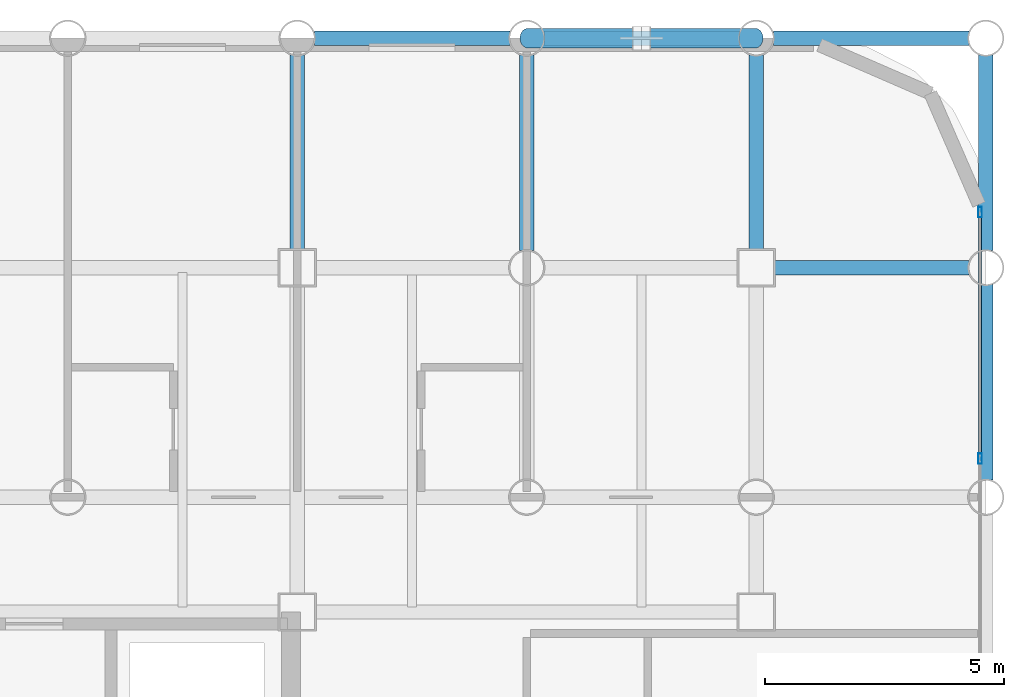
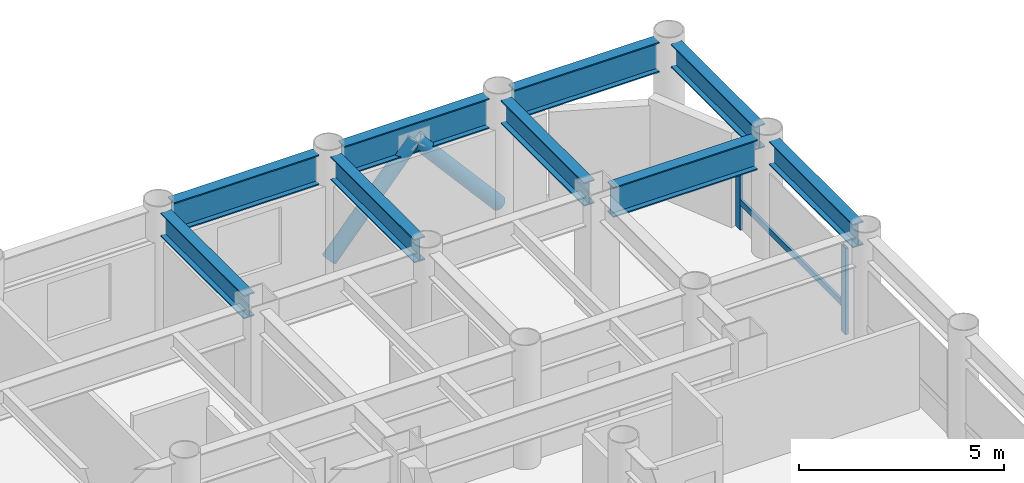
# One storey, part 14 of 22: 9 beams, 5 members, 1 element without a shape of its own.
"""IFC4 building model written with IfcOpenShell, lengths in metres."""

from ifc_helpers import new_model, si_unit, direction, frame, origin, origin_2d, place, context, subcontext, project, spatial, hollow_rectangle, hollow_circle, i_section, extrude, material, layer, layer_set, material_profile, profile_set, type_object, element, aggregate, save


model = new_model("IFC4")

# Units and contexts
model_context = context("Model", 3, precision=1e-05, world=origin(), true_north=direction((0.0, 1.0)))
body_context = subcontext(model_context, "Body", "Model", "MODEL_VIEW")
ifc_project = project(units=[si_unit("LENGTHUNIT", "METRE"), si_unit("AREAUNIT", "SQUARE_METRE"), si_unit("VOLUMEUNIT", "CUBIC_METRE"), si_unit("PLANEANGLEUNIT", "RADIAN"), si_unit("MASSUNIT", "GRAM", prefix="KILO")], contexts=[model_context])

# Site, building, storey
site_placement = place(None, origin())
site = spatial("IfcSite", under=ifc_project, at=site_placement, CompositionType="ELEMENT")
building_placement = place(site_placement, origin())
building = spatial("IfcBuilding", under=site, at=building_placement, Name="Kallvorn Hotel Tower", CompositionType="ELEMENT")
storey_placement = place(building_placement, frame((0.0, 0.0, 48.5)))
storey = spatial("IfcBuildingStorey", under=building, at=storey_placement, Name="L10", CompositionType="ELEMENT", Elevation=48.5)

# Beams
ifc_material_1 = material(Name="Structural steel S355JR", Category="steel")
ifc_material_profile_1 = material_profile(ifc_material_1, i_section(OverallWidth=0.300048828125, OverallDepth=0.699951171875, WebThickness=0.01708984375, FlangeThickness=0.031982421875, at=origin_2d()), Name="HE 700 B")
ifc_profile_set_1 = profile_set([ifc_material_profile_1], Name="Structural steel S355JR")
beam_type_1 = type_object("IfcBeamType", Name="BM_HE700B", PredefinedType="BEAM", material=ifc_profile_set_1)
beam_1_placement = place(storey_placement, frame((14.39990234375, 14.77490234375, 3.169921875), z_axis=(0.0, 1.0, 0.0), x_axis=(-1.0, 0.0, 0.0)))
element("IfcBeam", 1, at=beam_1_placement, inside=storey, type_object=beam_type_1, Name="L11 Primary Y-Girder 126", PredefinedType="BEAM", context=body_context, shape_type="SweptSolid", body=[
    extrude(i_section(OverallWidth=0.300048828125, OverallDepth=0.699951171875, WebThickness=0.01708984375, FlangeThickness=0.031982421875, at=origin_2d()), origin(), (0.0, 0.0, 1.0), 4.069091796875),
])
beam_2_placement = place(storey_placement, frame((19.199951171875, 14.756103515625, 3.169921875), z_axis=(0.0, 1.0, 0.0), x_axis=(-1.0, 0.0, 0.0)))
element("IfcBeam", 2, at=beam_2_placement, inside=storey, type_object=beam_type_1, Name="L11 Primary Y-Girder 135", PredefinedType="BEAM", context=body_context, shape_type="SweptSolid", body=[
    extrude(i_section(OverallWidth=0.300048828125, OverallDepth=0.699951171875, WebThickness=0.01708984375, FlangeThickness=0.031982421875, at=origin_2d()), origin(), (0.0, 0.0, 1.0), 4.087890625),
])
beam_3_placement = place(storey_placement, frame((24.0, 14.77490234375, 3.169921875), z_axis=(0.0, 1.0, 0.0), x_axis=(-1.0, 0.0, 0.0)))
element("IfcBeam", 3, at=beam_3_placement, inside=storey, type_object=beam_type_1, Name="L11 Primary Y-Girder 142", PredefinedType="BEAM", context=body_context, shape_type="SweptSolid", body=[
    extrude(i_section(OverallWidth=0.300048828125, OverallDepth=0.699951171875, WebThickness=0.01708984375, FlangeThickness=0.031982421875, at=origin_2d()), origin(), (0.0, 0.0, 1.0), 4.069091796875),
])
for number, where, z_axis, x_axis, name in (
    (4, (28.800048828125, 9.9560546875, 3.169921875), (0.0, 1.0, 0.0), (-1.0, 0.0, 0.0), "L11 Primary Y-Girder 149"),
    (5, (28.800048828125, 14.756103515625, 3.169921875), (0.0, 1.0, 0.0), (-1.0, 0.0, 0.0), "L11 Primary Y-Girder 150"),
):
    element("IfcBeam", number, at=place(storey_placement, frame(where, z_axis=z_axis, x_axis=x_axis)), inside=storey, type_object=beam_type_1, Name=name, PredefinedType="BEAM", context=body_context, shape_type="SweptSolid", body=[
        extrude(i_section(OverallWidth=0.300048828125, OverallDepth=0.699951171875, WebThickness=0.01708984375, FlangeThickness=0.031982421875, at=origin_2d()), origin(), (0.0, 0.0, 1.0), 4.087890625),
    ])
ifc_material_2 = material(Name="Structural steel S355JR", Category="steel")
ifc_material_profile_2 = material_profile(ifc_material_2, i_section(OverallWidth=0.300048828125, OverallDepth=0.89990234375, WebThickness=0.0185546875, FlangeThickness=0.034912109375, at=origin_2d()), Name="HE 900 B")
ifc_profile_set_2 = profile_set([ifc_material_profile_2], Name="Structural steel S355JR")
beam_type_2 = type_object("IfcBeamType", Name="BM_HE900B", PredefinedType="BEAM", material=ifc_profile_set_2)
beam_4_placement = place(storey_placement, frame((24.375, 14.39990234375, 3.070068359375), z_axis=(1.0, 0.0, 0.0), x_axis=(0.0, 1.0, 0.0)))
element("IfcBeam", 6, at=beam_4_placement, inside=storey, type_object=beam_type_2, Name="L11 Primary X-Girder 60", PredefinedType="BEAM", context=body_context, shape_type="SweptSolid", body=[
    extrude(i_section(OverallWidth=0.300048828125, OverallDepth=0.89990234375, WebThickness=0.0185546875, FlangeThickness=0.034912109375, at=origin_2d()), origin(), (0.0, 0.0, 1.0), 4.069091796875),
])
beam_5_placement = place(storey_placement, frame((14.756103515625, 19.199951171875, 3.070068359375), z_axis=(1.0, 0.0, 0.0), x_axis=(0.0, 1.0, 0.0)))
element("IfcBeam", 7, at=beam_5_placement, inside=storey, type_object=beam_type_2, Name="L11 Primary X-Girder 70", PredefinedType="BEAM", context=body_context, shape_type="SweptSolid", body=[
    extrude(i_section(OverallWidth=0.300048828125, OverallDepth=0.89990234375, WebThickness=0.0185546875, FlangeThickness=0.034912109375, at=origin_2d()), origin(), (0.0, 0.0, 1.0), 4.087890625),
])
for number, where, z_axis, x_axis, name in (
    (8, (19.555908203125, 19.199951171875, 3.070068359375), (1.0, 0.0, 0.0), (0.0, 1.0, 0.0), "L11 Primary X-Girder 71"),
    (9, (24.35595703125, 19.199951171875, 3.070068359375), (1.0, 0.0, 0.0), (0.0, 1.0, 0.0), "L11 Primary X-Girder 72"),
):
    element("IfcBeam", number, at=place(storey_placement, frame(where, z_axis=z_axis, x_axis=x_axis)), inside=storey, type_object=beam_type_2, Name=name, PredefinedType="BEAM", context=body_context, shape_type="SweptSolid", body=[
        extrude(i_section(OverallWidth=0.300048828125, OverallDepth=0.89990234375, WebThickness=0.0185546875, FlangeThickness=0.034912109375, at=origin_2d()), origin(), (0.0, 0.0, 1.0), 4.088134765625),
    ])

# Curtain wall, members
ifc_material_3 = material(Name="Thermally broken black-anodised aluminium AA 6063-T6", Category="aluminium")
ifc_layer = layer(ifc_material_3, 0.199951171875)
ifc_layer_set = layer_set([ifc_layer], Name="CW_SYS_3_HOTEL_LOW")
curtain_wall_type = type_object("IfcCurtainWallType", Name="CW_SYS_3_HOTEL_LOW", PredefinedType="USERDEFINED", material=ifc_layer_set)
curtain_wall_placement = place(storey_placement, origin())
curtain_wall = element("IfcCurtainWall", 10, at=curtain_wall_placement, inside=storey, type_object=curtain_wall_type, Name="L10 Dark-Glass Curtain Wall CW-L10-EN", ObjectType="UNITISED CURTAIN WALL", PredefinedType="USERDEFINED")
ifc_material_4 = material(Name="Thermally broken black-anodised aluminium AA 6063-T6", Category="aluminium")
ifc_material_profile_3 = material_profile(ifc_material_4, hollow_rectangle(XDim=0.080078125, YDim=0.219970703125, WallThickness=0.0048828125, at=origin_2d()), Name="MUL 220x80")
ifc_profile_set_3 = profile_set([ifc_material_profile_3], Name="Thermally broken black-anodised aluminium AA 6063-T6")
member_type_1 = type_object("IfcMemberType", Name="CW_MULLION_220x80", PredefinedType="MULLION", material=ifc_profile_set_3)
member_1_placement = place(storey_placement, frame((28.679931640625, 10.40673828125, 0.02001953125), z_axis=(0.0, 0.0, 1.0), x_axis=(1.0, 0.0, 0.0)))
member_1 = element("IfcMember", 11, at=member_1_placement, type_object=member_type_1, Name="CW-L10-EN Mullion 02", PredefinedType="MULLION", context=body_context, shape_type="SweptSolid", body=[
    extrude(hollow_rectangle(XDim=0.080078125, YDim=0.219970703125, WallThickness=0.0048828125, at=origin_2d()), origin(), (0.0, 0.0, 1.0), 2.580078125),
])
member_2_placement = place(storey_placement, frame((28.679931640625, 15.56005859375, 0.02001953125), z_axis=(0.0, 0.0, 1.0), x_axis=(1.0, 0.0, 0.0)))
member_2 = element("IfcMember", 12, at=member_2_placement, type_object=member_type_1, Name="CW-L10-EN Mullion 03", PredefinedType="MULLION", context=body_context, shape_type="SweptSolid", body=[
    extrude(hollow_rectangle(XDim=0.080078125, YDim=0.219970703125, WallThickness=0.0048828125, at=origin_2d()), origin(), (0.0, 0.0, 1.0), 2.580078125),
])
ifc_material_5 = material(Name="Thermally broken black-anodised aluminium AA 6063-T6", Category="aluminium")
ifc_material_profile_4 = material_profile(ifc_material_5, hollow_rectangle(XDim=0.070068359375, YDim=0.179931640625, WallThickness=0.00390625, at=origin_2d()), Name="TRN 180x70")
ifc_profile_set_4 = profile_set([ifc_material_profile_4], Name="Thermally broken black-anodised aluminium AA 6063-T6")
member_type_2 = type_object("IfcMemberType", Name="CW_TRANSOM_180x70", PredefinedType="USERDEFINED", material=ifc_profile_set_4)
member_3_placement = place(storey_placement, frame((28.679931640625, 10.44677734375, 0.85009765625), z_axis=(0.0, 1.0, 0.0), x_axis=(-1.0, 0.0, 0.0)))
member_3 = element("IfcMember", 13, at=member_3_placement, type_object=member_type_2, Name="CW-L10-EN Transom 02M", ObjectType="TRANSOM", PredefinedType="USERDEFINED", context=body_context, shape_type="SweptSolid", body=[
    extrude(hollow_rectangle(XDim=0.070068359375, YDim=0.179931640625, WallThickness=0.00390625, at=origin_2d()), origin(), (0.0, 0.0, 1.0), 5.11328125),
])
aggregate(curtain_wall, [member_1, member_2, member_3])

# Members
ifc_material_6 = material(Name="Structural steel S355J2H", Category="steel")
ifc_material_profile_5 = material_profile(ifc_material_6, hollow_circle(Radius=0.203125, WallThickness=0.01611328125, at=origin_2d()), Name="CHS 406.4x16")
ifc_profile_set_5 = profile_set([ifc_material_profile_5], Name="Structural steel S355J2H")
member_type_3 = type_object("IfcMemberType", Name="MBR_EXO_CHS406", PredefinedType="BRACE", material=ifc_profile_set_5)
for number, where, z_axis, x_axis, name in (
    (14, (19.213134765625, 19.199951171875, 0.195068359375), (0.65346062529, 0.0, 0.756960508346), (0.0, 1.0, 0.0), "L10 Exoskeleton K-Brace N2A"),
    (15, (23.98681640625, 19.199951171875, 0.195068359375), (-0.65346062529, 0.0, 0.756960508346), (0.0, -1.0, 0.0), "L10 Exoskeleton K-Brace N2B"),
):
    element("IfcMember", number, at=place(storey_placement, frame(where, z_axis=z_axis, x_axis=x_axis)), inside=storey, type_object=member_type_3, Name=name, PredefinedType="BRACE", context=body_context, shape_type="SweptSolid", body=[
        extrude(hollow_circle(Radius=0.203125, WallThickness=0.01611328125, at=origin_2d()), origin(), (0.0, 0.0, 1.0), 3.632568359375),
    ])

save(model, "model.ifc")
